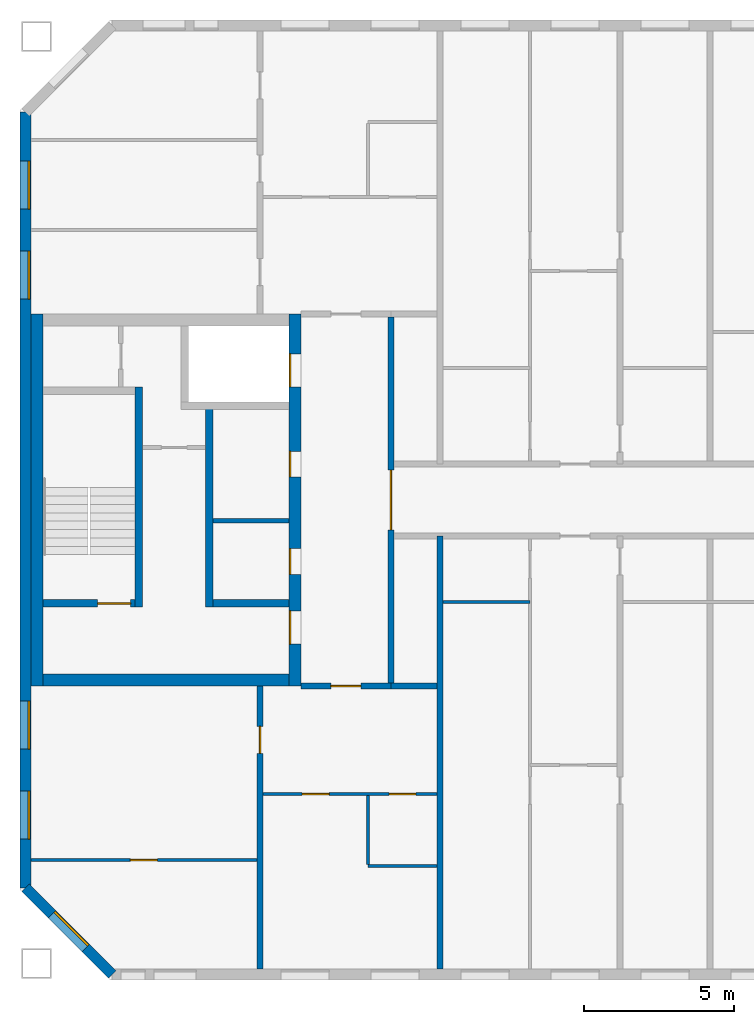
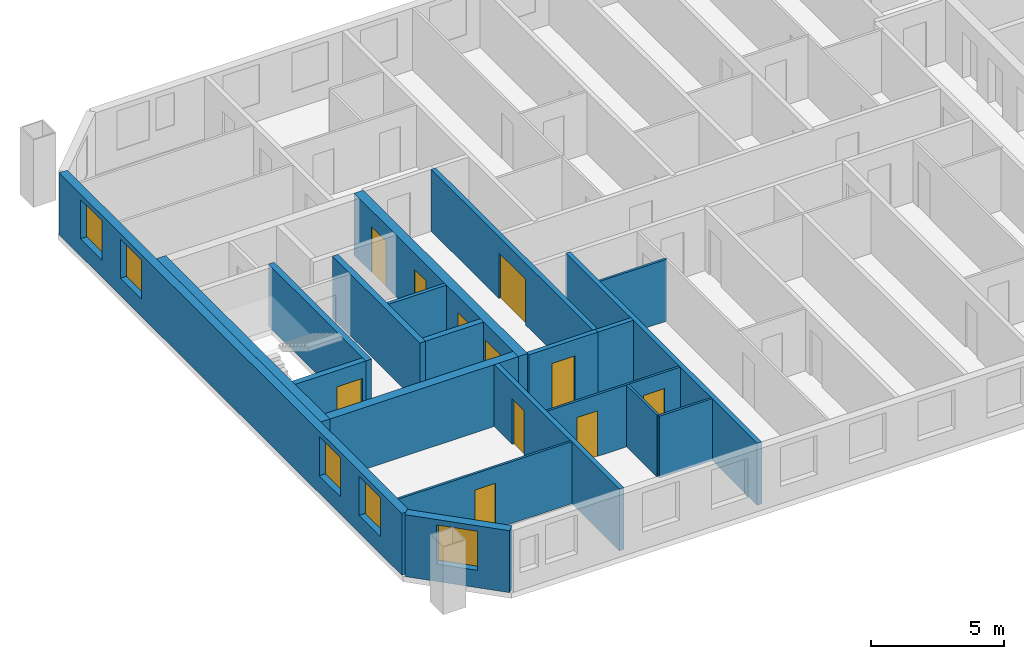
# One storey, part 4 of 19: 20 walls, 11 doors, 5 windows, 16 openings.
"""IFC4 building model written with IfcOpenShell, lengths in metres."""

from ifc_helpers import new_model, si_unit, direction, frame, frame_2d, origin, place, context, subcontext, project, spatial, rectangle, extrude, material, layer, layer_set, type_object, element, fill, save


model = new_model("IFC4")

# Units and contexts
model_context = context("Model", 3, precision=1e-05, world=origin(), true_north=direction((0.0, 1.0)))
body_context = subcontext(model_context, "Body", "Model", "MODEL_VIEW")
ifc_project = project(units=[si_unit("LENGTHUNIT", "METRE"), si_unit("AREAUNIT", "SQUARE_METRE"), si_unit("VOLUMEUNIT", "CUBIC_METRE"), si_unit("PLANEANGLEUNIT", "RADIAN"), si_unit("MASSUNIT", "GRAM", prefix="KILO")], contexts=[model_context])

# Site, building, storey
site_placement = place(None, origin())
site = spatial("IfcSite", under=ifc_project, at=site_placement, CompositionType="ELEMENT")
building_placement = place(site_placement, origin())
building = spatial("IfcBuilding", under=site, at=building_placement, Name="Tuart Gate Housing", CompositionType="ELEMENT")
storey_placement = place(building_placement, frame((0.0, 0.0, 212.10009765625)))
storey = spatial("IfcBuildingStorey", under=building, at=storey_placement, Name="L60", CompositionType="ELEMENT", Elevation=212.10009765625)

# Wall, opening, window
ifc_material_1 = material(Name="Brick", Category="masonry")
ifc_layer_1 = layer(ifc_material_1, 0.360107421875)
ifc_layer_set_1 = layer_set([ifc_layer_1], Name="Brick pier and spandrel wall 360")
wall_type_1 = type_object("IfcWallType", Name="Brick pier and spandrel wall 360", PredefinedType="STANDARD", material=ifc_layer_set_1)
wall_1_placement = place(storey_placement, frame((32.179931640625, 57.07470703125, 0.0), z_axis=(0.0, 0.0, 1.0), x_axis=(0.707106781187, -0.707106781187, 0.0)))
wall_1 = element("IfcWall", 1, at=wall_1_placement, inside=storey, type_object=wall_type_1, Name="External wall BLK-SW L60", PredefinedType="STANDARD", context=body_context, shape_type="SweptSolid", body=[
    extrude(rectangle(XDim=4.09375, YDim=0.360107421875, at=frame_2d((2.046875, 0.0))), origin(), (0.0, 0.0, 1.0), 2.849853515625),
])
opening_1_placement = place(wall_1_placement, frame((1.2470703125, 0.0, 0.800048828125)))
opening_1 = element("IfcOpeningElement", 2, at=opening_1_placement, cuts=wall_1, Name="Opening W1", PredefinedType="OPENING", context=body_context, shape_type="SweptSolid", body=[
    extrude(rectangle(XDim=1.60009765625, YDim=1.800048828125, at=frame_2d((0.800048828125, 0.89990234375))), frame((0.0, 0.18994140625, 0.0), z_axis=(0.0, -1.0, 0.0), x_axis=(1.0, 0.0, 0.0)), (0.0, 0.0, 1.0), 0.380126953125),
])
ifc_material_2 = material(Name="Aluminium frame with clear glass", Category="aluminium")
window_type = type_object("IfcWindowType", Name="Punched window 1600 x 1800", PartitioningType="SINGLE_PANEL", PredefinedType="WINDOW", material=ifc_material_2)
window_1_placement = place(opening_1_placement, origin())
window_1 = element("IfcWindow", 3, at=window_1_placement, inside=storey, type_object=window_type, Name="Window W1", OverallHeight=1.800048828125, OverallWidth=1.60009765625, PartitioningType="SINGLE_PANEL", PredefinedType="WINDOW", context=body_context, shape_type="SweptSolid", body=[
    extrude(rectangle(XDim=1.60009765625, YDim=1.800048828125, at=frame_2d((0.800048828125, 0.89990234375))), frame((0.0, 0.150146484375, 0.0), z_axis=(0.0, -1.0, 0.0), x_axis=(1.0, 0.0, 0.0)), (0.0, 0.0, 1.0), 0.06005859375),
])
fill(opening_1, window_1)

# Wall, openings, windows
wall_2_placement = place(storey_placement, frame((32.179931640625, 82.92529296875, 0.0), z_axis=(0.0, 0.0, 1.0), x_axis=(0.0, -1.0, 0.0)))
wall_2 = element("IfcWall", 4, at=wall_2_placement, inside=storey, type_object=wall_type_1, Name="External wall BLK-W L60", PredefinedType="STANDARD", context=body_context, shape_type="SweptSolid", body=[
    extrude(rectangle(XDim=25.850830078125, YDim=0.360107421875, at=frame_2d((12.92529296875, 0.0))), origin(), (0.0, 0.0, 1.0), 2.849853515625),
])
opening_2_placement = place(wall_2_placement, frame((1.62548828125, 0.0, 0.800048828125)))
opening_2 = element("IfcOpeningElement", 5, at=opening_2_placement, cuts=wall_2, Name="Opening W1", PredefinedType="OPENING", context=body_context, shape_type="SweptSolid", body=[
    extrude(rectangle(XDim=1.60009765625, YDim=1.800048828125, at=frame_2d((0.800048828125, 0.89990234375))), frame((0.0, 0.18994140625, 0.0), z_axis=(0.0, -1.0, 0.0), x_axis=(1.0, 0.0, 0.0)), (0.0, 0.0, 1.0), 0.380126953125),
])
opening_3_placement = place(wall_2_placement, frame((4.62548828125, 0.0, 0.800048828125)))
opening_3 = element("IfcOpeningElement", 6, at=opening_3_placement, cuts=wall_2, Name="Opening W1", PredefinedType="OPENING", context=body_context, shape_type="SweptSolid", body=[
    extrude(rectangle(XDim=1.60009765625, YDim=1.800048828125, at=frame_2d((0.800048828125, 0.89990234375))), frame((0.0, 0.18994140625, 0.0), z_axis=(0.0, -1.0, 0.0), x_axis=(1.0, 0.0, 0.0)), (0.0, 0.0, 1.0), 0.380126953125),
])
opening_4_placement = place(wall_2_placement, frame((19.62548828125, 0.0, 0.800048828125)))
opening_4 = element("IfcOpeningElement", 7, at=opening_4_placement, cuts=wall_2, Name="Opening W1", PredefinedType="OPENING", context=body_context, shape_type="SweptSolid", body=[
    extrude(rectangle(XDim=1.60009765625, YDim=1.800048828125, at=frame_2d((0.800048828125, 0.89990234375))), frame((0.0, 0.18994140625, 0.0), z_axis=(0.0, -1.0, 0.0), x_axis=(1.0, 0.0, 0.0)), (0.0, 0.0, 1.0), 0.380126953125),
])
opening_5_placement = place(wall_2_placement, frame((22.62548828125, 0.0, 0.800048828125)))
opening_5 = element("IfcOpeningElement", 8, at=opening_5_placement, cuts=wall_2, Name="Opening W1", PredefinedType="OPENING", context=body_context, shape_type="SweptSolid", body=[
    extrude(rectangle(XDim=1.60009765625, YDim=1.800048828125, at=frame_2d((0.800048828125, 0.89990234375))), frame((0.0, 0.18994140625, 0.0), z_axis=(0.0, -1.0, 0.0), x_axis=(1.0, 0.0, 0.0)), (0.0, 0.0, 1.0), 0.380126953125),
])
window_2_placement = place(opening_2_placement, origin())
window_2 = element("IfcWindow", 9, at=window_2_placement, inside=storey, type_object=window_type, Name="Window W1", OverallHeight=1.800048828125, OverallWidth=1.60009765625, PartitioningType="SINGLE_PANEL", PredefinedType="WINDOW", context=body_context, shape_type="SweptSolid", body=[
    extrude(rectangle(XDim=1.60009765625, YDim=1.800048828125, at=frame_2d((0.800048828125, 0.89990234375))), frame((0.0, 0.150146484375, 0.0), z_axis=(0.0, -1.0, 0.0), x_axis=(1.0, 0.0, 0.0)), (0.0, 0.0, 1.0), 0.06005859375),
])
fill(opening_2, window_2)
window_3_placement = place(opening_3_placement, origin())
window_3 = element("IfcWindow", 10, at=window_3_placement, inside=storey, type_object=window_type, Name="Window W1", OverallHeight=1.800048828125, OverallWidth=1.60009765625, PartitioningType="SINGLE_PANEL", PredefinedType="WINDOW", context=body_context, shape_type="SweptSolid", body=[
    extrude(rectangle(XDim=1.60009765625, YDim=1.800048828125, at=frame_2d((0.800048828125, 0.89990234375))), frame((0.0, 0.150146484375, 0.0), z_axis=(0.0, -1.0, 0.0), x_axis=(1.0, 0.0, 0.0)), (0.0, 0.0, 1.0), 0.06005859375),
])
fill(opening_3, window_3)
window_4_placement = place(opening_4_placement, origin())
window_4 = element("IfcWindow", 11, at=window_4_placement, inside=storey, type_object=window_type, Name="Window W1", OverallHeight=1.800048828125, OverallWidth=1.60009765625, PartitioningType="SINGLE_PANEL", PredefinedType="WINDOW", context=body_context, shape_type="SweptSolid", body=[
    extrude(rectangle(XDim=1.60009765625, YDim=1.800048828125, at=frame_2d((0.800048828125, 0.89990234375))), frame((0.0, 0.150146484375, 0.0), z_axis=(0.0, -1.0, 0.0), x_axis=(1.0, 0.0, 0.0)), (0.0, 0.0, 1.0), 0.06005859375),
])
fill(opening_4, window_4)
window_5_placement = place(opening_5_placement, origin())
window_5 = element("IfcWindow", 12, at=window_5_placement, inside=storey, type_object=window_type, Name="Window W1", OverallHeight=1.800048828125, OverallWidth=1.60009765625, PartitioningType="SINGLE_PANEL", PredefinedType="WINDOW", context=body_context, shape_type="SweptSolid", body=[
    extrude(rectangle(XDim=1.60009765625, YDim=1.800048828125, at=frame_2d((0.800048828125, 0.89990234375))), frame((0.0, 0.150146484375, 0.0), z_axis=(0.0, -1.0, 0.0), x_axis=(1.0, 0.0, 0.0)), (0.0, 0.0, 1.0), 0.06005859375),
])
fill(opening_5, window_5)

# Walls
ifc_material_3 = material(Name="Plasterboard partition")
ifc_layer_2 = layer(ifc_material_3, 0.14990234375)
ifc_layer_set_2 = layer_set([ifc_layer_2], Name="Core partition 150")
wall_type_2 = type_object("IfcWallType", Name="Core partition 150", PredefinedType="PARTITIONING", material=ifc_layer_set_2)
wall_3_placement = place(storey_placement, frame((40.9599609375, 69.300048828125, 0.0), z_axis=(0.0, 0.0, 1.0), x_axis=(-1.0, 0.0, 0.0)))
element("IfcWall", 13, at=wall_3_placement, inside=storey, type_object=wall_type_2, Name="Core partition AK.4", PredefinedType="PARTITIONING", context=body_context, shape_type="SweptSolid", body=[
    extrude(rectangle(XDim=2.52490234375, YDim=0.14990234375, at=frame_2d((1.262451171875, 0.0))), origin(), (0.0, 0.0, 1.0), 2.849853515625),
])
ifc_material_4 = material(Name="Concrete C40", Category="concrete")
ifc_layer_3 = layer(ifc_material_4, 0.25)
ifc_layer_set_3 = layer_set([ifc_layer_3], Name="Core wall 250 C40")
wall_type_3 = type_object("IfcWallType", Name="Core wall 250 C40", PredefinedType="SHEAR", material=ifc_layer_set_3)
wall_4_placement = place(storey_placement, frame((40.9599609375, 66.550048828125, 0.0), z_axis=(0.0, 0.0, 1.0), x_axis=(-1.0, 0.0, 0.0)))
element("IfcWall", 14, at=wall_4_placement, inside=storey, type_object=wall_type_3, Name="Core wall AK.5", PredefinedType="SHEAR", context=body_context, shape_type="SweptSolid", body=[
    extrude(rectangle(XDim=2.52490234375, YDim=0.25, at=frame_2d((1.262451171875, 0.0))), origin(), (0.0, 0.0, 1.0), 2.849853515625),
])

# Wall, opening, door
wall_5_placement = place(storey_placement, frame((35.8349609375, 66.550048828125, 0.0), z_axis=(0.0, 0.0, 1.0), x_axis=(-1.0, 0.0, 0.0)))
wall_5 = element("IfcWall", 15, at=wall_5_placement, inside=storey, type_object=wall_type_3, Name="Core wall AK.6", PredefinedType="SHEAR", context=body_context, shape_type="SweptSolid", body=[
    extrude(rectangle(XDim=3.074951171875, YDim=0.25, at=frame_2d((1.53759765625, 0.0))), origin(), (0.0, 0.0, 1.0), 2.849853515625),
])
opening_6_placement = place(wall_5_placement, frame((0.14990234375, 0.0, 0.0)))
opening_6 = element("IfcOpeningElement", 16, at=opening_6_placement, cuts=wall_5, Name="Opening D2145", PredefinedType="OPENING", context=body_context, shape_type="SweptSolid", body=[
    extrude(rectangle(XDim=1.10009765625, YDim=2.10009765625, at=frame_2d((0.550048828125, 1.050048828125))), frame((0.0, 0.135009765625, 0.0), z_axis=(0.0, -1.0, 0.0), x_axis=(1.0, 0.0, 0.0)), (0.0, 0.0, 1.0), 0.27001953125),
])
ifc_material_5 = material(Name="Steel fire door", Category="steel")
door_type_1 = type_object("IfcDoorType", Name="Stair door 1100 x 2100 RH", OperationType="SINGLE_SWING_RIGHT", PredefinedType="DOOR", material=ifc_material_5)
door_1_placement = place(opening_6_placement, frame((1.10009765625, 0.0, 0.0), z_axis=(0.0, 0.0, 1.0), x_axis=(-1.0, 0.0, 0.0)))
door_1 = element("IfcDoor", 17, at=door_1_placement, inside=storey, type_object=door_type_1, Name="Stair door AK.SD", OperationType="SINGLE_SWING_RIGHT", OverallHeight=2.10009765625, OverallWidth=1.10009765625, PredefinedType="DOOR", context=body_context, shape_type="SweptSolid", body=[
    extrude(rectangle(XDim=1.10009765625, YDim=2.10009765625, at=frame_2d((0.550048828125, 1.050048828125))), frame((0.0, 0.025146484375, 0.0), z_axis=(0.0, -1.0, 0.0), x_axis=(1.0, 0.0, 0.0)), (0.0, 0.0, 1.0), 0.050048828125),
])
fill(opening_6, door_1)

# Walls
wall_6_placement = place(storey_placement, frame((38.31005859375, 73.02490234375, 0.0), z_axis=(0.0, 0.0, 1.0), x_axis=(0.0, -1.0, 0.0)))
element("IfcWall", 18, at=wall_6_placement, inside=storey, type_object=wall_type_3, Name="Core wall AK.7", PredefinedType="SHEAR", context=body_context, shape_type="SweptSolid", body=[
    extrude(rectangle(XDim=6.599853515625, YDim=0.25, at=frame_2d((3.2998046875, 0.0))), origin(), (0.0, 0.0, 1.0), 2.849853515625),
])
wall_7_placement = place(storey_placement, frame((35.9599609375, 73.77490234375, 0.0), z_axis=(0.0, 0.0, 1.0), x_axis=(0.0, -1.0, 0.0)))
element("IfcWall", 19, at=wall_7_placement, inside=storey, type_object=wall_type_3, Name="Core wall AK.9", PredefinedType="SHEAR", context=body_context, shape_type="SweptSolid", body=[
    extrude(rectangle(XDim=7.349853515625, YDim=0.25, at=frame_2d((3.6748046875, 0.0))), origin(), (0.0, 0.0, 1.0), 2.849853515625),
])

# Wall, openings, doors
ifc_material_6 = material(Name="Concrete C40", Category="concrete")
ifc_layer_4 = layer(ifc_material_6, 0.39990234375)
ifc_layer_set_4 = layer_set([ifc_layer_4], Name="Core wall 400 C40")
wall_type_4 = type_object("IfcWallType", Name="Core wall 400 C40", PredefinedType="SHEAR", material=ifc_layer_set_4)
wall_8_placement = place(storey_placement, frame((41.159912109375, 76.199951171875, 0.0), z_axis=(0.0, 0.0, 1.0), x_axis=(0.0, -1.0, 0.0)))
wall_8 = element("IfcWall", 20, at=wall_8_placement, inside=storey, type_object=wall_type_4, Name="Core wall AK front", PredefinedType="SHEAR", context=body_context, shape_type="SweptSolid", body=[
    extrude(rectangle(XDim=12.39990234375, YDim=0.39990234375, at=frame_2d((6.199951171875, 0.0))), origin(), (0.0, 0.0, 1.0), 2.849853515625),
])
opening_7_placement = place(wall_8_placement, frame((1.324951171875, 0.0, 0.0)))
opening_7 = element("IfcOpeningElement", 21, at=opening_7_placement, cuts=wall_8, Name="Opening LD-FA2", PredefinedType="OPENING", context=body_context, shape_type="SweptSolid", body=[
    extrude(rectangle(XDim=1.10009765625, YDim=2.10009765625, at=frame_2d((0.550048828125, 1.050048828125))), frame((0.0, 0.2099609375, 0.0), z_axis=(0.0, -1.0, 0.0), x_axis=(1.0, 0.0, 0.0)), (0.0, 0.0, 1.0), 0.419921875),
])
opening_8_placement = place(wall_8_placement, frame((4.574951171875, 0.0, 0.0)))
opening_8 = element("IfcOpeningElement", 22, at=opening_8_placement, cuts=wall_8, Name="Opening D2136", PredefinedType="OPENING", context=body_context, shape_type="SweptSolid", body=[
    extrude(rectangle(XDim=0.85009765625, YDim=2.10009765625, at=frame_2d((0.425048828125, 1.050048828125))), frame((0.0, 0.2099609375, 0.0), z_axis=(0.0, -1.0, 0.0), x_axis=(1.0, 0.0, 0.0)), (0.0, 0.0, 1.0), 0.419921875),
])
opening_9_placement = place(wall_8_placement, frame((7.824951171875, 0.0, 0.0)))
opening_9 = element("IfcOpeningElement", 23, at=opening_9_placement, cuts=wall_8, Name="Opening D2137", PredefinedType="OPENING", context=body_context, shape_type="SweptSolid", body=[
    extrude(rectangle(XDim=0.85009765625, YDim=2.10009765625, at=frame_2d((0.425048828125, 1.050048828125))), frame((0.0, 0.2099609375, 0.0), z_axis=(0.0, -1.0, 0.0), x_axis=(1.0, 0.0, 0.0)), (0.0, 0.0, 1.0), 0.419921875),
])
opening_10_placement = place(wall_8_placement, frame((9.89990234375, 0.0, 0.0)))
opening_10 = element("IfcOpeningElement", 24, at=opening_10_placement, cuts=wall_8, Name="Opening D2135", PredefinedType="OPENING", context=body_context, shape_type="SweptSolid", body=[
    extrude(rectangle(XDim=1.10009765625, YDim=2.10009765625, at=frame_2d((0.550048828125, 1.050048828125))), frame((0.0, 0.2099609375, 0.0), z_axis=(0.0, -1.0, 0.0), x_axis=(1.0, 0.0, 0.0)), (0.0, 0.0, 1.0), 0.419921875),
])
ifc_material_7 = material(Name="Stainless steel", Category="steel")
door_type_2 = type_object("IfcDoorType", Name="Landing door 1100 x 2100", OperationType="DOUBLE_DOOR_SLIDING", PredefinedType="DOOR", material=ifc_material_7)
door_2_placement = place(opening_7_placement, origin())
door_2 = element("IfcDoor", 25, at=door_2_placement, inside=storey, type_object=door_type_2, Name="Lift landing door FA2", OperationType="DOUBLE_DOOR_SLIDING", OverallHeight=2.10009765625, OverallWidth=1.10009765625, PredefinedType="DOOR", context=body_context, shape_type="SweptSolid", body=[
    extrude(rectangle(XDim=1.10009765625, YDim=2.10009765625, at=frame_2d((0.550048828125, 1.050048828125))), frame((0.0, -0.134765625, 0.0), z_axis=(0.0, -1.0, 0.0), x_axis=(1.0, 0.0, 0.0)), (0.0, 0.0, 1.0), 0.050048828125),
])
fill(opening_7, door_2)
ifc_material_8 = material(Name="Steel fire door", Category="steel")
door_type_3 = type_object("IfcDoorType", Name="Lobby door 1100 x 2100 RH", OperationType="SINGLE_SWING_RIGHT", PredefinedType="DOOR", material=ifc_material_8)
door_3_placement = place(opening_10_placement, frame((1.10009765625, 0.0, 0.0), z_axis=(0.0, 0.0, 1.0), x_axis=(-1.0, 0.0, 0.0)))
door_3 = element("IfcDoor", 26, at=door_3_placement, inside=storey, type_object=door_type_3, Name="Lobby entry door AK.EN", OperationType="SINGLE_SWING_RIGHT", OverallHeight=2.10009765625, OverallWidth=1.10009765625, PredefinedType="DOOR", context=body_context, shape_type="SweptSolid", body=[
    extrude(rectangle(XDim=1.10009765625, YDim=2.10009765625, at=frame_2d((0.550048828125, 1.050048828125))), frame((0.0, 0.184814453125, 0.0), z_axis=(0.0, -1.0, 0.0), x_axis=(1.0, 0.0, 0.0)), (0.0, 0.0, 1.0), 0.050048828125),
])
fill(opening_10, door_3)
ifc_material_9 = material(Name="Steel fire door", Category="steel")
door_type_4 = type_object("IfcDoorType", Name="Service door 850 x 2100 RH", OperationType="SINGLE_SWING_RIGHT", PredefinedType="DOOR", material=ifc_material_9)
door_4_placement = place(opening_8_placement, frame((0.85009765625, 0.0, 0.0), z_axis=(0.0, 0.0, 1.0), x_axis=(-1.0, 0.0, 0.0)))
door_4 = element("IfcDoor", 27, at=door_4_placement, inside=storey, type_object=door_type_4, Name="Service room door AK.FR1", OperationType="SINGLE_SWING_RIGHT", OverallHeight=2.10009765625, OverallWidth=0.85009765625, PredefinedType="DOOR", context=body_context, shape_type="SweptSolid", body=[
    extrude(rectangle(XDim=0.85009765625, YDim=2.10009765625, at=frame_2d((0.425048828125, 1.050048828125))), frame((0.0, 0.184814453125, 0.0), z_axis=(0.0, -1.0, 0.0), x_axis=(1.0, 0.0, 0.0)), (0.0, 0.0, 1.0), 0.050048828125),
])
fill(opening_8, door_4)
door_5_placement = place(opening_9_placement, frame((0.85009765625, 0.0, 0.0), z_axis=(0.0, 0.0, 1.0), x_axis=(-1.0, 0.0, 0.0)))
door_5 = element("IfcDoor", 28, at=door_5_placement, inside=storey, type_object=door_type_4, Name="Service room door AK.FR2", OperationType="SINGLE_SWING_RIGHT", OverallHeight=2.10009765625, OverallWidth=0.85009765625, PredefinedType="DOOR", context=body_context, shape_type="SweptSolid", body=[
    extrude(rectangle(XDim=0.85009765625, YDim=2.10009765625, at=frame_2d((0.425048828125, 1.050048828125))), frame((0.0, 0.184814453125, 0.0), z_axis=(0.0, -1.0, 0.0), x_axis=(1.0, 0.0, 0.0)), (0.0, 0.0, 1.0), 0.050048828125),
])
fill(opening_9, door_5)

# Walls
wall_9_placement = place(storey_placement, frame((32.56005859375, 76.199951171875, 0.0), z_axis=(0.0, 0.0, 1.0), x_axis=(0.0, -1.0, 0.0)))
element("IfcWall", 29, at=wall_9_placement, inside=storey, type_object=wall_type_4, Name="Core wall AK back", PredefinedType="SHEAR", context=body_context, shape_type="SweptSolid", body=[
    extrude(rectangle(XDim=12.39990234375, YDim=0.39990234375, at=frame_2d((6.199951171875, 0.0))), origin(), (0.0, 0.0, 1.0), 2.849853515625),
])
wall_10_placement = place(storey_placement, frame((40.9599609375, 64.0, 0.0), z_axis=(0.0, 0.0, 1.0), x_axis=(-1.0, 0.0, 0.0)))
element("IfcWall", 30, at=wall_10_placement, inside=storey, type_object=wall_type_4, Name="Core wall AK north", PredefinedType="SHEAR", context=body_context, shape_type="SweptSolid", body=[
    extrude(rectangle(XDim=8.199951171875, YDim=0.39990234375, at=frame_2d((4.10009765625, 0.0))), origin(), (0.0, 0.0, 1.0), 2.849853515625),
])

# Wall, opening, door
ifc_material_10 = material(Name="Concrete masonry 15 MPa", Category="masonry")
ifc_layer_5 = layer(ifc_material_10, 0.199951171875)
ifc_layer_set_5 = layer_set([ifc_layer_5], Name="Enclosure wall masonry 200")
wall_type_5 = type_object("IfcWallType", Name="Enclosure wall masonry 200", PredefinedType="PARTITIONING", material=ifc_layer_set_5)
wall_11_placement = place(storey_placement, frame((41.360107421875, 63.800048828125, 0.0), z_axis=(0.0, 0.0, 1.0), x_axis=(1.0, 0.0, 0.0)))
wall_11 = element("IfcWall", 31, at=wall_11_placement, inside=storey, type_object=wall_type_5, Name="Enclosure wall masonry 200", PredefinedType="PARTITIONING", context=body_context, shape_type="SweptSolid", body=[
    extrude(rectangle(XDim=3.0, YDim=0.199951171875, at=frame_2d((1.5, 0.0))), origin(), (0.0, 0.0, 1.0), 2.849853515625),
])
opening_11_placement = place(wall_11_placement, frame((1.0, 0.0, 0.0)))
opening_11 = element("IfcOpeningElement", 32, at=opening_11_placement, cuts=wall_11, Name="Opening D2146", PredefinedType="OPENING", context=body_context, shape_type="SweptSolid", body=[
    extrude(rectangle(XDim=1.0, YDim=2.10009765625, at=frame_2d((0.5, 1.050048828125))), frame((0.0, 0.10986328125, 0.0), z_axis=(0.0, -1.0, 0.0), x_axis=(1.0, 0.0, 0.0)), (0.0, 0.0, 1.0), 0.219970703125),
])
ifc_material_11 = material(Name="Timber door leaf in steel frame", Category="steel")
door_type_5 = type_object("IfcDoorType", Name="Flat entrance door 1000 RH", OperationType="SINGLE_SWING_RIGHT", PredefinedType="DOOR", material=ifc_material_11)
door_6_placement = place(opening_11_placement, frame((1.0, 0.0, 0.0), z_axis=(0.0, 0.0, 1.0), x_axis=(-1.0, 0.0, 0.0)))
door_6 = element("IfcDoor", 33, at=door_6_placement, inside=storey, type_object=door_type_5, Name="Flat entrance door", OperationType="SINGLE_SWING_RIGHT", OverallHeight=2.10009765625, OverallWidth=1.0, PredefinedType="DOOR", context=body_context, shape_type="SweptSolid", body=[
    extrude(rectangle(XDim=1.0, YDim=2.10009765625, at=frame_2d((0.5, 1.050048828125))), frame((0.0, 0.025146484375, 0.0), z_axis=(0.0, -1.0, 0.0), x_axis=(1.0, 0.0, 0.0)), (0.0, 0.0, 1.0), 0.050048828125),
])
fill(opening_11, door_6)

ifc_material_12 = material(Name="Plasterboard partition")
ifc_layer_6 = layer(ifc_material_12, 0.199951171875)
ifc_layer_set_6 = layer_set([ifc_layer_6], Name="Lobby wall 200")
wall_type_6 = type_object("IfcWallType", Name="Lobby wall 200", PredefinedType="PARTITIONING", material=ifc_layer_set_6)
wall_12_placement = place(storey_placement, frame((44.360107421875, 63.89990234375, 0.0), z_axis=(0.0, 0.0, 1.0), x_axis=(0.0, 1.0, 0.0)))
wall_12 = element("IfcWall", 34, at=wall_12_placement, inside=storey, type_object=wall_type_6, Name="Lift lobby wall AK", PredefinedType="PARTITIONING", context=body_context, shape_type="SweptSolid", body=[
    extrude(rectangle(XDim=12.2001953125, YDim=0.199951171875, at=frame_2d((6.10009765625, 0.0))), origin(), (0.0, 0.0, 1.0), 2.849853515625),
])
opening_12_placement = place(wall_12_placement, frame((5.10009765625, 0.0, 0.0)))
opening_12 = element("IfcOpeningElement", 35, at=opening_12_placement, cuts=wall_12, Name="Opening D2138", PredefinedType="OPENING", context=body_context, shape_type="SweptSolid", body=[
    extrude(rectangle(XDim=2.0, YDim=2.10009765625, at=frame_2d((1.0, 1.050048828125))), frame((0.0, 0.10986328125, 0.0), z_axis=(0.0, -1.0, 0.0), x_axis=(1.0, 0.0, 0.0)), (0.0, 0.0, 1.0), 0.219970703125),
])
ifc_material_13 = material(Name="Steel fire door", Category="steel")
door_type_6 = type_object("IfcDoorType", Name="Smoke door 2000 x 2100", OperationType="DOUBLE_DOOR_SINGLE_SWING", PredefinedType="DOOR", material=ifc_material_13)
door_7_placement = place(opening_12_placement, origin())
door_7 = element("IfcDoor", 36, at=door_7_placement, inside=storey, type_object=door_type_6, Name="Lift lobby smoke door AK", OperationType="DOUBLE_DOOR_SINGLE_SWING", OverallHeight=2.10009765625, OverallWidth=2.0, PredefinedType="DOOR", context=body_context, shape_type="SweptSolid", body=[
    extrude(rectangle(XDim=2.0, YDim=2.10009765625, at=frame_2d((1.0, 1.050048828125))), frame((0.0, 0.02490234375, 0.0), z_axis=(0.0, -1.0, 0.0), x_axis=(1.0, 0.0, 0.0)), (0.0, 0.0, 1.0), 0.050048828125),
])
fill(opening_12, door_7)

# Wall
ifc_material_14 = material(Name="Gypsum board on steel studs", Category="steel")
ifc_layer_7 = layer(ifc_material_14, 0.10009765625)
ifc_layer_set_7 = layer_set([ifc_layer_7], Name="Partition 100")
wall_type_7 = type_object("IfcWallType", Name="Partition 100", PredefinedType="PARTITIONING", material=ifc_layer_set_7)
wall_13_placement = place(storey_placement, frame((43.60009765625, 57.800048828125, 0.0), z_axis=(0.0, 0.0, 1.0), x_axis=(1.0, 0.0, 0.0)))
element("IfcWall", 37, at=wall_13_placement, inside=storey, type_object=wall_type_7, Name="Partition 100", PredefinedType="PARTITIONING", context=body_context, shape_type="SweptSolid", body=[
    extrude(rectangle(XDim=2.2998046875, YDim=0.10009765625, at=frame_2d((1.14990234375, 0.0))), origin(), (0.0, 0.0, 1.0), 2.849853515625),
])

# Wall, opening, door
wall_14_placement = place(storey_placement, frame((32.360107421875, 58.0, 0.0), z_axis=(0.0, 0.0, 1.0), x_axis=(1.0, 0.0, 0.0)))
wall_14 = element("IfcWall", 38, at=wall_14_placement, inside=storey, type_object=wall_type_7, Name="Partition 100", PredefinedType="PARTITIONING", context=body_context, shape_type="SweptSolid", body=[
    extrude(rectangle(XDim=7.539794921875, YDim=0.10009765625, at=frame_2d((3.77001953125, 0.0))), origin(), (0.0, 0.0, 1.0), 2.849853515625),
])
opening_13_placement = place(wall_14_placement, frame((3.320068359375, 0.0, 0.0)))
opening_13 = element("IfcOpeningElement", 39, at=opening_13_placement, cuts=wall_14, Name="Opening D2165", PredefinedType="OPENING", context=body_context, shape_type="SweptSolid", body=[
    extrude(rectangle(XDim=0.89990234375, YDim=2.10009765625, at=frame_2d((0.449951171875, 1.050048828125))), frame((0.0, 0.06005859375, 0.0), z_axis=(0.0, -1.0, 0.0), x_axis=(1.0, 0.0, 0.0)), (0.0, 0.0, 1.0), 0.1201171875),
])
ifc_material_15 = material(Name="Timber door leaf in steel frame", Category="steel")
door_type_7 = type_object("IfcDoorType", Name="Internal door 900 RH", OperationType="SINGLE_SWING_RIGHT", PredefinedType="DOOR", material=ifc_material_15)
door_8_placement = place(opening_13_placement, frame((0.89990234375, 0.0, 0.0), z_axis=(0.0, 0.0, 1.0), x_axis=(-1.0, 0.0, 0.0)))
door_8 = element("IfcDoor", 40, at=door_8_placement, inside=storey, type_object=door_type_7, Name="Internal door", OperationType="SINGLE_SWING_RIGHT", OverallHeight=2.10009765625, OverallWidth=0.89990234375, PredefinedType="DOOR", context=body_context, shape_type="SweptSolid", body=[
    extrude(rectangle(XDim=0.89990234375, YDim=2.10009765625, at=frame_2d((0.449951171875, 1.050048828125))), frame((0.0, 0.025146484375, 0.0), z_axis=(0.0, -1.0, 0.0), x_axis=(1.0, 0.0, 0.0)), (0.0, 0.0, 1.0), 0.050048828125),
])
fill(opening_13, door_8)

# Wall, openings, doors
wall_15_placement = place(storey_placement, frame((40.10009765625, 60.199951171875, 0.0), z_axis=(0.0, 0.0, 1.0), x_axis=(1.0, 0.0, 0.0)))
wall_15 = element("IfcWall", 41, at=wall_15_placement, inside=storey, type_object=wall_type_7, Name="Partition 100", PredefinedType="PARTITIONING", context=body_context, shape_type="SweptSolid", body=[
    extrude(rectangle(XDim=5.7998046875, YDim=0.10009765625, at=frame_2d((2.89990234375, 0.0))), origin(), (0.0, 0.0, 1.0), 2.849853515625),
])
opening_14_placement = place(wall_15_placement, frame((1.300048828125, 0.0, 0.0)))
opening_14 = element("IfcOpeningElement", 42, at=opening_14_placement, cuts=wall_15, Name="Opening D2158", PredefinedType="OPENING", context=body_context, shape_type="SweptSolid", body=[
    extrude(rectangle(XDim=0.89990234375, YDim=2.10009765625, at=frame_2d((0.449951171875, 1.050048828125))), frame((0.0, 0.06005859375, 0.0), z_axis=(0.0, -1.0, 0.0), x_axis=(1.0, 0.0, 0.0)), (0.0, 0.0, 1.0), 0.1201171875),
])
opening_15_placement = place(wall_15_placement, frame((4.199951171875, 0.0, 0.0)))
opening_15 = element("IfcOpeningElement", 43, at=opening_15_placement, cuts=wall_15, Name="Opening D2157", PredefinedType="OPENING", context=body_context, shape_type="SweptSolid", body=[
    extrude(rectangle(XDim=0.89990234375, YDim=2.10009765625, at=frame_2d((0.449951171875, 1.050048828125))), frame((0.0, 0.06005859375, 0.0), z_axis=(0.0, -1.0, 0.0), x_axis=(1.0, 0.0, 0.0)), (0.0, 0.0, 1.0), 0.1201171875),
])
ifc_material_16 = material(Name="Timber door leaf in steel frame", Category="steel")
door_type_8 = type_object("IfcDoorType", Name="Bathroom door 900 RH", OperationType="SINGLE_SWING_RIGHT", PredefinedType="DOOR", material=ifc_material_16)
door_9_placement = place(opening_15_placement, frame((0.89990234375, 0.0, 0.0), z_axis=(0.0, 0.0, 1.0), x_axis=(-1.0, 0.0, 0.0)))
door_9 = element("IfcDoor", 44, at=door_9_placement, inside=storey, type_object=door_type_8, Name="Bathroom door", OperationType="SINGLE_SWING_RIGHT", OverallHeight=2.10009765625, OverallWidth=0.89990234375, PredefinedType="DOOR", context=body_context, shape_type="SweptSolid", body=[
    extrude(rectangle(XDim=0.89990234375, YDim=2.10009765625, at=frame_2d((0.449951171875, 1.050048828125))), frame((0.0, 0.025146484375, 0.0), z_axis=(0.0, -1.0, 0.0), x_axis=(1.0, 0.0, 0.0)), (0.0, 0.0, 1.0), 0.050048828125),
])
fill(opening_15, door_9)
ifc_material_17 = material(Name="Timber door leaf in steel frame", Category="steel")
door_type_9 = type_object("IfcDoorType", Name="Internal door 900", OperationType="SINGLE_SWING_LEFT", PredefinedType="DOOR", material=ifc_material_17)
door_10_placement = place(opening_14_placement, frame((0.89990234375, 0.0, 0.0), z_axis=(0.0, 0.0, 1.0), x_axis=(-1.0, 0.0, 0.0)))
door_10 = element("IfcDoor", 45, at=door_10_placement, inside=storey, type_object=door_type_9, Name="Internal door", OperationType="SINGLE_SWING_LEFT", OverallHeight=2.10009765625, OverallWidth=0.89990234375, PredefinedType="DOOR", context=body_context, shape_type="SweptSolid", body=[
    extrude(rectangle(XDim=0.89990234375, YDim=2.10009765625, at=frame_2d((0.449951171875, 1.050048828125))), frame((0.0, 0.025146484375, 0.0), z_axis=(0.0, -1.0, 0.0), x_axis=(1.0, 0.0, 0.0)), (0.0, 0.0, 1.0), 0.050048828125),
])
fill(opening_14, door_10)

# Walls
wall_16_placement = place(storey_placement, frame((46.10009765625, 66.60009765625, 0.0), z_axis=(0.0, 0.0, 1.0), x_axis=(1.0, 0.0, 0.0)))
element("IfcWall", 46, at=wall_16_placement, inside=storey, type_object=wall_type_7, Name="Partition 100", PredefinedType="PARTITIONING", context=body_context, shape_type="SweptSolid", body=[
    extrude(rectangle(XDim=2.89990234375, YDim=0.10009765625, at=frame_2d((1.449951171875, 0.0))), origin(), (0.0, 0.0, 1.0), 2.849853515625),
])
wall_17_placement = place(storey_placement, frame((43.60009765625, 57.85009765625, 0.0), z_axis=(0.0, 0.0, 1.0), x_axis=(0.0, 1.0, 0.0)))
element("IfcWall", 47, at=wall_17_placement, inside=storey, type_object=wall_type_7, Name="Partition 100", PredefinedType="PARTITIONING", context=body_context, shape_type="SweptSolid", body=[
    extrude(rectangle(XDim=2.2998046875, YDim=0.10009765625, at=frame_2d((1.14990234375, 0.0))), origin(), (0.0, 0.0, 1.0), 2.849853515625),
])

# Wall, opening, door
ifc_material_18 = material(Name="Concrete C40", Category="concrete")
ifc_layer_8 = layer(ifc_material_18, 0.199951171875)
ifc_layer_set_8 = layer_set([ifc_layer_8], Name="Party wall concrete C40 200")
wall_type_8 = type_object("IfcWallType", Name="Party wall concrete C40 200", PredefinedType="SOLIDWALL", material=ifc_layer_set_8)
wall_18_placement = place(storey_placement, frame((40.0, 54.360107421875, 0.0), z_axis=(0.0, 0.0, 1.0), x_axis=(0.0, 1.0, 0.0)))
wall_18 = element("IfcWall", 48, at=wall_18_placement, inside=storey, type_object=wall_type_8, Name="Party wall concrete C40 200", PredefinedType="SOLIDWALL", context=body_context, shape_type="SweptSolid", body=[
    extrude(rectangle(XDim=9.43994140625, YDim=0.199951171875, at=frame_2d((4.719970703125, 0.0))), origin(), (0.0, 0.0, 1.0), 2.849853515625),
])
opening_16_placement = place(wall_18_placement, frame((7.18994140625, 0.0, 0.0)))
opening_16 = element("IfcOpeningElement", 49, at=opening_16_placement, cuts=wall_18, Name="Opening D2162", PredefinedType="OPENING", context=body_context, shape_type="SweptSolid", body=[
    extrude(rectangle(XDim=0.89990234375, YDim=2.10009765625, at=frame_2d((0.449951171875, 1.050048828125))), frame((0.0, 0.10986328125, 0.0), z_axis=(0.0, -1.0, 0.0), x_axis=(1.0, 0.0, 0.0)), (0.0, 0.0, 1.0), 0.219970703125),
])
door_11_placement = place(opening_16_placement, frame((0.89990234375, 0.0, 0.0), z_axis=(0.0, 0.0, 1.0), x_axis=(-1.0, 0.0, 0.0)))
door_11 = element("IfcDoor", 50, at=door_11_placement, inside=storey, type_object=door_type_7, Name="Internal door", OperationType="SINGLE_SWING_RIGHT", OverallHeight=2.10009765625, OverallWidth=0.89990234375, PredefinedType="DOOR", context=body_context, shape_type="SweptSolid", body=[
    extrude(rectangle(XDim=0.89990234375, YDim=2.10009765625, at=frame_2d((0.449951171875, 1.050048828125))), frame((0.0, 0.025146484375, 0.0), z_axis=(0.0, -1.0, 0.0), x_axis=(1.0, 0.0, 0.0)), (0.0, 0.0, 1.0), 0.050048828125),
])
fill(opening_16, door_11)

# Walls
wall_19_placement = place(storey_placement, frame((46.0, 54.360107421875, 0.0), z_axis=(0.0, 0.0, 1.0), x_axis=(0.0, 1.0, 0.0)))
element("IfcWall", 51, at=wall_19_placement, inside=storey, type_object=wall_type_8, Name="Party wall concrete C40 200", PredefinedType="SOLIDWALL", context=body_context, shape_type="SweptSolid", body=[
    extrude(rectangle(XDim=14.43994140625, YDim=0.199951171875, at=frame_2d((7.219970703125, 0.0))), origin(), (0.0, 0.0, 1.0), 2.849853515625),
])
ifc_material_19 = material(Name="Concrete masonry 15 MPa", Category="masonry")
ifc_layer_9 = layer(ifc_material_19, 0.199951171875)
ifc_layer_set_9 = layer_set([ifc_layer_9], Name="Party wall masonry 200")
wall_type_9 = type_object("IfcWallType", Name="Party wall masonry 200", PredefinedType="PARTITIONING", material=ifc_layer_set_9)
wall_20_placement = place(storey_placement, frame((44.360107421875, 63.800048828125, 0.0), z_axis=(0.0, 0.0, 1.0), x_axis=(1.0, 0.0, 0.0)))
element("IfcWall", 52, at=wall_20_placement, inside=storey, type_object=wall_type_9, Name="Party wall masonry 200", PredefinedType="PARTITIONING", context=body_context, shape_type="SweptSolid", body=[
    extrude(rectangle(XDim=1.539794921875, YDim=0.199951171875, at=frame_2d((0.77001953125, 0.0))), origin(), (0.0, 0.0, 1.0), 2.849853515625),
])

save(model, "model.ifc")
